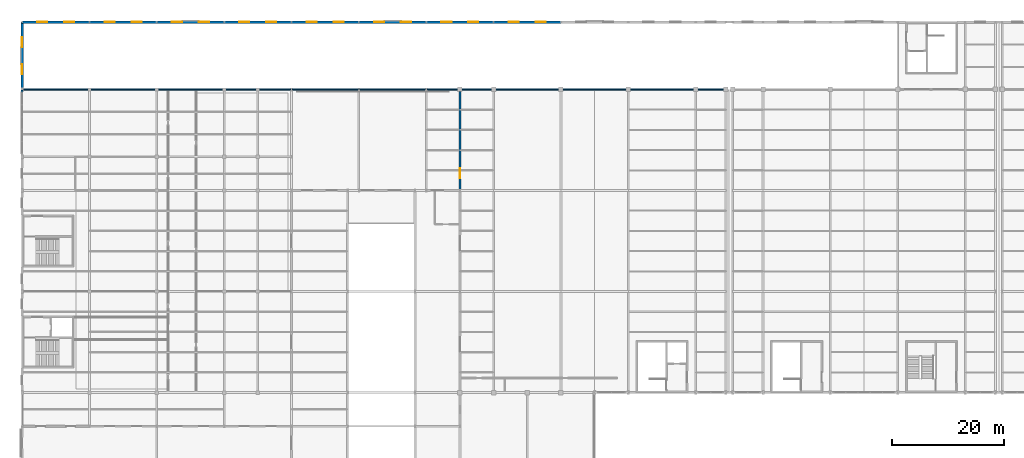
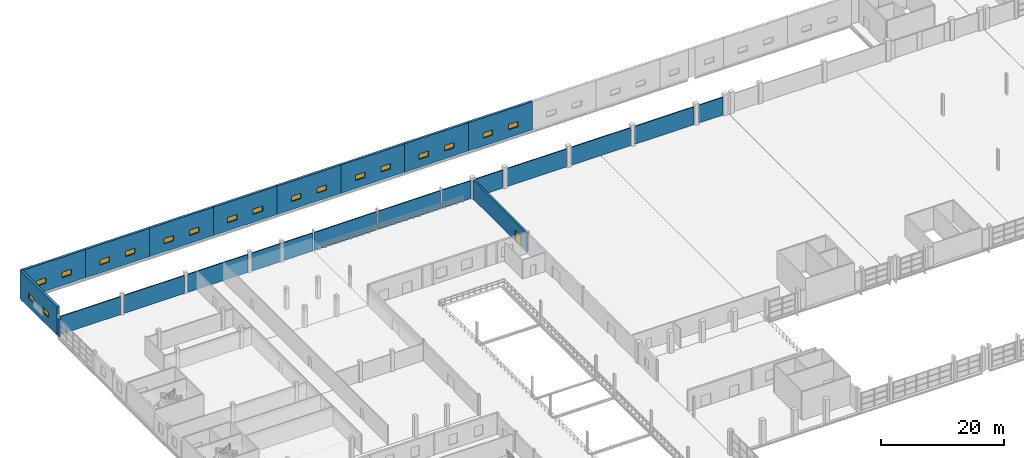
# One storey, part 139 of 147: 23 walls, 18 windows, 1 door, 19 openings.
"""IFC4 building model written with IfcOpenShell, lengths in metres."""

from ifc_helpers import new_model, si_unit, direction, frame, frame_2d, origin, place, context, subcontext, project, spatial, rectangle, extrude, material, layer, layer_set, type_object, element, fill, save


model = new_model("IFC4")

# Units and contexts
model_context = context("Model", 3, precision=1e-05, world=origin(), true_north=direction((0.0, 1.0)))
body_context = subcontext(model_context, "Body", "Model", "MODEL_VIEW")
ifc_project = project(units=[si_unit("LENGTHUNIT", "METRE"), si_unit("AREAUNIT", "SQUARE_METRE"), si_unit("VOLUMEUNIT", "CUBIC_METRE"), si_unit("PLANEANGLEUNIT", "RADIAN"), si_unit("MASSUNIT", "GRAM", prefix="KILO")], contexts=[model_context])

# Site, building, storey
site_placement = place(None, origin())
site = spatial("IfcSite", under=ifc_project, at=site_placement, CompositionType="ELEMENT")
building_placement = place(site_placement, origin())
building = spatial("IfcBuilding", under=site, at=building_placement, Name="Zilviju Railside Exhibition Hall", CompositionType="ELEMENT")
storey_placement = place(building_placement, frame((0.0, 0.0, 8.39990234375)))
storey = spatial("IfcBuildingStorey", under=building, at=storey_placement, Name="L03", CompositionType="ELEMENT", Elevation=8.39990234375)

# Wall, opening, door
ifc_material_1 = material(Name="Insulated terrace foyer masonry wall", Category="masonry")
ifc_layer_1 = layer(ifc_material_1, 0.340087890625)
ifc_layer_set_1 = layer_set([ifc_layer_1], Name="Insulated terrace foyer masonry wall")
wall_type_1 = type_object("IfcWallType", Name="WL-EXT-340", PredefinedType="SOLIDWALL", material=ifc_layer_set_1)
wall_1_placement = place(storey_placement, frame((78.0, 120.181884765625, 0.0), z_axis=(0.0, 0.0, 1.0), x_axis=(0.0, 1.0, 0.0)))
wall_1 = element("IfcWall", 1, at=wall_1_placement, inside=storey, type_object=wall_type_1, Name="North Hall L03 Terrace Foyer Wall", PredefinedType="SOLIDWALL", context=body_context, shape_type="SweptSolid", body=[
    extrude(rectangle(XDim=17.416015625, YDim=0.340087890625, at=frame_2d((8.7080078125, 0.0))), origin(), (0.0, 0.0, 1.0), 3.800048828125),
])
opening_1_placement = place(wall_1_placement, frame((1.968017578125, 0.0, 0.0)))
opening_1 = element("IfcOpeningElement", 2, at=opening_1_placement, cuts=wall_1, Name="Opening TD-01", PredefinedType="OPENING", context=body_context, shape_type="SweptSolid", body=[
    extrude(rectangle(XDim=1.800048828125, YDim=2.199951171875, at=frame_2d((0.89990234375, 1.10009765625))), frame((0.0, 0.179931640625, 0.0), z_axis=(0.0, -1.0, 0.0), x_axis=(1.0, 0.0, 0.0)), (0.0, 0.0, 1.0), 0.360107421875),
])
ifc_material_2 = material(Name="Triple-glazed roof-garden terrace double door", Category="steel")
door_type = type_object("IfcDoorType", Name="DR-EXT-TERR-180x220", OperationType="NOTDEFINED", PredefinedType="DOOR", material=ifc_material_2)
door_placement = place(opening_1_placement, origin())
door = element("IfcDoor", 3, at=door_placement, inside=storey, type_object=door_type, Name="North Hall Terrace Door", OperationType="DOUBLE_DOOR_SINGLE_SWING", OverallHeight=2.199951171875, OverallWidth=1.800048828125, PredefinedType="DOOR", context=body_context, shape_type="SweptSolid", body=[
    extrude(rectangle(XDim=1.800048828125, YDim=2.199951171875, at=frame_2d((0.89990234375, 1.10009765625))), frame((0.0, 0.02490234375, 0.0), z_axis=(0.0, -1.0, 0.0), x_axis=(1.0, 0.0, 0.0)), (0.0, 0.0, 1.0), 0.050048828125),
])
fill(opening_1, door)

# Wall
ifc_material_3 = material(Name="Insulated cream-brick upper facade wall", Category="masonry")
ifc_layer_2 = layer(ifc_material_3, 0.3798828125)
ifc_layer_set_2 = layer_set([ifc_layer_2], Name="Insulated cream-brick upper facade wall")
wall_type_2 = type_object("IfcWallType", Name="WL-EXT-380", PredefinedType="SOLIDWALL", material=ifc_layer_set_2)
wall_2_placement = place(storey_placement, frame((0.0, 137.449951171875, 0.0), z_axis=(0.0, 0.0, 1.0), x_axis=(0.0, 1.0, 0.0)))
element("IfcWall", 4, at=wall_2_placement, inside=storey, type_object=wall_type_2, Name="Curtain-Wall Jamb Closure Pier L03 0485", PredefinedType="SOLIDWALL", context=body_context, shape_type="SweptSolid", body=[
    extrude(rectangle(XDim=0.447998046875, YDim=0.3798828125, at=frame_2d((0.22412109375, 0.0))), origin(), (0.0, 0.0, 1.0), 3.5),
])

# Wall, openings, windows
ifc_material_4 = material(Name="Concrete C40/50", Category="concrete")
ifc_layer_3 = layer(ifc_material_4, 0.43994140625)
ifc_layer_set_3 = layer_set([ifc_layer_3], Name="Concrete C40/50")
wall_type_3 = type_object("IfcWallType", Name="WL-EXT-AC440", PredefinedType="SHEAR", material=ifc_layer_set_3)
wall_3_placement = place(storey_placement, frame((0.0, 150.0, 0.0), z_axis=(0.0, 0.0, 1.0), x_axis=(1.0, 0.0, 0.0)))
wall_3 = element("IfcWall", 5, at=wall_3_placement, inside=storey, type_object=wall_type_3, Name="Exterior Facade Wall L03 North 0557", PredefinedType="SHEAR", context=body_context, shape_type="SweptSolid", body=[
    extrude(rectangle(XDim=12.0, YDim=0.43994140625, at=frame_2d((6.0, 0.0))), origin(), (0.0, 0.0, 1.0), 5.650146484375),
])
opening_2_placement = place(wall_3_placement, frame((2.699951171875, 0.0, 1.60009765625)))
opening_2 = element("IfcOpeningElement", 6, at=opening_2_placement, cuts=wall_3, Name="Opening WN-16", PredefinedType="OPENING", context=body_context, shape_type="SweptSolid", body=[
    extrude(rectangle(XDim=1.800048828125, YDim=1.050048828125, at=frame_2d((0.89990234375, 0.52490234375))), frame((0.0, 0.22998046875, 0.0), z_axis=(0.0, -1.0, 0.0), x_axis=(1.0, 0.0, 0.0)), (0.0, 0.0, 1.0), 0.4599609375),
])
opening_3_placement = place(wall_3_placement, frame((7.5, 0.0, 1.60009765625)))
opening_3 = element("IfcOpeningElement", 7, at=opening_3_placement, cuts=wall_3, Name="Opening WN-16", PredefinedType="OPENING", context=body_context, shape_type="SweptSolid", body=[
    extrude(rectangle(XDim=1.800048828125, YDim=1.050048828125, at=frame_2d((0.89990234375, 0.52490234375))), frame((0.0, 0.22998046875, 0.0), z_axis=(0.0, -1.0, 0.0), x_axis=(1.0, 0.0, 0.0)), (0.0, 0.0, 1.0), 0.4599609375),
])
ifc_material_5 = material(Name="Triple-glazed timber-aluminium window unit", Category="wood")
window_type = type_object("IfcWindowType", Name="WIN-LOG-180x105", PartitioningType="DOUBLE_PANEL_VERTICAL", PredefinedType="WINDOW", material=ifc_material_5)
window_1_placement = place(opening_2_placement, origin())
window_1 = element("IfcWindow", 8, at=window_1_placement, inside=storey, type_object=window_type, Name="Facade Window L03 WN-0138", OverallHeight=1.050048828125, OverallWidth=1.800048828125, PartitioningType="SINGLE_PANEL", PredefinedType="WINDOW", context=body_context, shape_type="SweptSolid", body=[
    extrude(rectangle(XDim=1.800048828125, YDim=1.050048828125, at=frame_2d((0.89990234375, 0.52490234375))), frame((0.0, 0.030029296875, 0.0), z_axis=(0.0, -1.0, 0.0), x_axis=(1.0, 0.0, 0.0)), (0.0, 0.0, 1.0), 0.06005859375),
])
fill(opening_2, window_1)
window_2_placement = place(opening_3_placement, origin())
window_2 = element("IfcWindow", 9, at=window_2_placement, inside=storey, type_object=window_type, Name="Facade Window L03 WN-0139", OverallHeight=1.050048828125, OverallWidth=1.800048828125, PartitioningType="SINGLE_PANEL", PredefinedType="WINDOW", context=body_context, shape_type="SweptSolid", body=[
    extrude(rectangle(XDim=1.800048828125, YDim=1.050048828125, at=frame_2d((0.89990234375, 0.52490234375))), frame((0.0, 0.030029296875, 0.0), z_axis=(0.0, -1.0, 0.0), x_axis=(1.0, 0.0, 0.0)), (0.0, 0.0, 1.0), 0.06005859375),
])
fill(opening_3, window_2)

wall_4_placement = place(storey_placement, frame((12.0, 150.0, 0.0), z_axis=(0.0, 0.0, 1.0), x_axis=(1.0, 0.0, 0.0)))
wall_4 = element("IfcWall", 10, at=wall_4_placement, inside=storey, type_object=wall_type_3, Name="Exterior Facade Wall L03 North 0558", PredefinedType="SHEAR", context=body_context, shape_type="SweptSolid", body=[
    extrude(rectangle(XDim=12.0, YDim=0.43994140625, at=frame_2d((6.0, 0.0))), origin(), (0.0, 0.0, 1.0), 5.650146484375),
])
opening_4_placement = place(wall_4_placement, frame((2.699951171875, 0.0, 1.60009765625)))
opening_4 = element("IfcOpeningElement", 11, at=opening_4_placement, cuts=wall_4, Name="Opening WN-16", PredefinedType="OPENING", context=body_context, shape_type="SweptSolid", body=[
    extrude(rectangle(XDim=1.800048828125, YDim=1.050048828125, at=frame_2d((0.89990234375, 0.52490234375))), frame((0.0, 0.22998046875, 0.0), z_axis=(0.0, -1.0, 0.0), x_axis=(1.0, 0.0, 0.0)), (0.0, 0.0, 1.0), 0.4599609375),
])
opening_5_placement = place(wall_4_placement, frame((7.5, 0.0, 1.60009765625)))
opening_5 = element("IfcOpeningElement", 12, at=opening_5_placement, cuts=wall_4, Name="Opening WN-16", PredefinedType="OPENING", context=body_context, shape_type="SweptSolid", body=[
    extrude(rectangle(XDim=1.800048828125, YDim=1.050048828125, at=frame_2d((0.89990234375, 0.52490234375))), frame((0.0, 0.22998046875, 0.0), z_axis=(0.0, -1.0, 0.0), x_axis=(1.0, 0.0, 0.0)), (0.0, 0.0, 1.0), 0.4599609375),
])
window_3_placement = place(opening_4_placement, origin())
window_3 = element("IfcWindow", 13, at=window_3_placement, inside=storey, type_object=window_type, Name="Facade Window L03 WN-0140", OverallHeight=1.050048828125, OverallWidth=1.800048828125, PartitioningType="SINGLE_PANEL", PredefinedType="WINDOW", context=body_context, shape_type="SweptSolid", body=[
    extrude(rectangle(XDim=1.800048828125, YDim=1.050048828125, at=frame_2d((0.89990234375, 0.52490234375))), frame((0.0, 0.030029296875, 0.0), z_axis=(0.0, -1.0, 0.0), x_axis=(1.0, 0.0, 0.0)), (0.0, 0.0, 1.0), 0.06005859375),
])
fill(opening_4, window_3)
window_4_placement = place(opening_5_placement, origin())
window_4 = element("IfcWindow", 14, at=window_4_placement, inside=storey, type_object=window_type, Name="Facade Window L03 WN-0141", OverallHeight=1.050048828125, OverallWidth=1.800048828125, PartitioningType="SINGLE_PANEL", PredefinedType="WINDOW", context=body_context, shape_type="SweptSolid", body=[
    extrude(rectangle(XDim=1.800048828125, YDim=1.050048828125, at=frame_2d((0.89990234375, 0.52490234375))), frame((0.0, 0.030029296875, 0.0), z_axis=(0.0, -1.0, 0.0), x_axis=(1.0, 0.0, 0.0)), (0.0, 0.0, 1.0), 0.06005859375),
])
fill(opening_5, window_4)

wall_5_placement = place(storey_placement, frame((24.0, 150.0, 0.0), z_axis=(0.0, 0.0, 1.0), x_axis=(1.0, 0.0, 0.0)))
wall_5 = element("IfcWall", 15, at=wall_5_placement, inside=storey, type_object=wall_type_3, Name="Exterior Facade Wall L03 North 0559", PredefinedType="SHEAR", context=body_context, shape_type="SweptSolid", body=[
    extrude(rectangle(XDim=12.0, YDim=0.43994140625, at=frame_2d((6.0, 0.0))), origin(), (0.0, 0.0, 1.0), 5.650146484375),
])
opening_6_placement = place(wall_5_placement, frame((2.699951171875, 0.0, 1.60009765625)))
opening_6 = element("IfcOpeningElement", 16, at=opening_6_placement, cuts=wall_5, Name="Opening WN-16", PredefinedType="OPENING", context=body_context, shape_type="SweptSolid", body=[
    extrude(rectangle(XDim=1.800048828125, YDim=1.050048828125, at=frame_2d((0.89990234375, 0.52490234375))), frame((0.0, 0.22998046875, 0.0), z_axis=(0.0, -1.0, 0.0), x_axis=(1.0, 0.0, 0.0)), (0.0, 0.0, 1.0), 0.4599609375),
])
opening_7_placement = place(wall_5_placement, frame((7.5, 0.0, 1.60009765625)))
opening_7 = element("IfcOpeningElement", 17, at=opening_7_placement, cuts=wall_5, Name="Opening WN-16", PredefinedType="OPENING", context=body_context, shape_type="SweptSolid", body=[
    extrude(rectangle(XDim=1.800048828125, YDim=1.050048828125, at=frame_2d((0.89990234375, 0.52490234375))), frame((0.0, 0.22998046875, 0.0), z_axis=(0.0, -1.0, 0.0), x_axis=(1.0, 0.0, 0.0)), (0.0, 0.0, 1.0), 0.4599609375),
])
window_5_placement = place(opening_6_placement, origin())
window_5 = element("IfcWindow", 18, at=window_5_placement, inside=storey, type_object=window_type, Name="Facade Window L03 WN-0142", OverallHeight=1.050048828125, OverallWidth=1.800048828125, PartitioningType="SINGLE_PANEL", PredefinedType="WINDOW", context=body_context, shape_type="SweptSolid", body=[
    extrude(rectangle(XDim=1.800048828125, YDim=1.050048828125, at=frame_2d((0.89990234375, 0.52490234375))), frame((0.0, 0.030029296875, 0.0), z_axis=(0.0, -1.0, 0.0), x_axis=(1.0, 0.0, 0.0)), (0.0, 0.0, 1.0), 0.06005859375),
])
fill(opening_6, window_5)
window_6_placement = place(opening_7_placement, origin())
window_6 = element("IfcWindow", 19, at=window_6_placement, inside=storey, type_object=window_type, Name="Facade Window L03 WN-0143", OverallHeight=1.050048828125, OverallWidth=1.800048828125, PartitioningType="SINGLE_PANEL", PredefinedType="WINDOW", context=body_context, shape_type="SweptSolid", body=[
    extrude(rectangle(XDim=1.800048828125, YDim=1.050048828125, at=frame_2d((0.89990234375, 0.52490234375))), frame((0.0, 0.030029296875, 0.0), z_axis=(0.0, -1.0, 0.0), x_axis=(1.0, 0.0, 0.0)), (0.0, 0.0, 1.0), 0.06005859375),
])
fill(opening_7, window_6)

wall_6_placement = place(storey_placement, frame((36.0, 150.0, 0.0), z_axis=(0.0, 0.0, 1.0), x_axis=(1.0, 0.0, 0.0)))
wall_6 = element("IfcWall", 20, at=wall_6_placement, inside=storey, type_object=wall_type_3, Name="Exterior Facade Wall L03 North 0560", PredefinedType="SHEAR", context=body_context, shape_type="SweptSolid", body=[
    extrude(rectangle(XDim=12.0, YDim=0.43994140625, at=frame_2d((6.0, 0.0))), origin(), (0.0, 0.0, 1.0), 5.650146484375),
])
opening_8_placement = place(wall_6_placement, frame((2.699951171875, 0.0, 1.60009765625)))
opening_8 = element("IfcOpeningElement", 21, at=opening_8_placement, cuts=wall_6, Name="Opening WN-16", PredefinedType="OPENING", context=body_context, shape_type="SweptSolid", body=[
    extrude(rectangle(XDim=1.800048828125, YDim=1.050048828125, at=frame_2d((0.89990234375, 0.52490234375))), frame((0.0, 0.22998046875, 0.0), z_axis=(0.0, -1.0, 0.0), x_axis=(1.0, 0.0, 0.0)), (0.0, 0.0, 1.0), 0.4599609375),
])
opening_9_placement = place(wall_6_placement, frame((7.5, 0.0, 1.60009765625)))
opening_9 = element("IfcOpeningElement", 22, at=opening_9_placement, cuts=wall_6, Name="Opening WN-16", PredefinedType="OPENING", context=body_context, shape_type="SweptSolid", body=[
    extrude(rectangle(XDim=1.800048828125, YDim=1.050048828125, at=frame_2d((0.89990234375, 0.52490234375))), frame((0.0, 0.22998046875, 0.0), z_axis=(0.0, -1.0, 0.0), x_axis=(1.0, 0.0, 0.0)), (0.0, 0.0, 1.0), 0.4599609375),
])
window_7_placement = place(opening_8_placement, origin())
window_7 = element("IfcWindow", 23, at=window_7_placement, inside=storey, type_object=window_type, Name="Facade Window L03 WN-0144", OverallHeight=1.050048828125, OverallWidth=1.800048828125, PartitioningType="SINGLE_PANEL", PredefinedType="WINDOW", context=body_context, shape_type="SweptSolid", body=[
    extrude(rectangle(XDim=1.800048828125, YDim=1.050048828125, at=frame_2d((0.89990234375, 0.52490234375))), frame((0.0, 0.030029296875, 0.0), z_axis=(0.0, -1.0, 0.0), x_axis=(1.0, 0.0, 0.0)), (0.0, 0.0, 1.0), 0.06005859375),
])
fill(opening_8, window_7)
window_8_placement = place(opening_9_placement, origin())
window_8 = element("IfcWindow", 24, at=window_8_placement, inside=storey, type_object=window_type, Name="Facade Window L03 WN-0145", OverallHeight=1.050048828125, OverallWidth=1.800048828125, PartitioningType="SINGLE_PANEL", PredefinedType="WINDOW", context=body_context, shape_type="SweptSolid", body=[
    extrude(rectangle(XDim=1.800048828125, YDim=1.050048828125, at=frame_2d((0.89990234375, 0.52490234375))), frame((0.0, 0.030029296875, 0.0), z_axis=(0.0, -1.0, 0.0), x_axis=(1.0, 0.0, 0.0)), (0.0, 0.0, 1.0), 0.06005859375),
])
fill(opening_9, window_8)

wall_7_placement = place(storey_placement, frame((48.0, 150.0, 0.0), z_axis=(0.0, 0.0, 1.0), x_axis=(1.0, 0.0, 0.0)))
wall_7 = element("IfcWall", 25, at=wall_7_placement, inside=storey, type_object=wall_type_3, Name="Exterior Facade Wall L03 North 0561", PredefinedType="SHEAR", context=body_context, shape_type="SweptSolid", body=[
    extrude(rectangle(XDim=12.0, YDim=0.43994140625, at=frame_2d((6.0, 0.0))), origin(), (0.0, 0.0, 1.0), 5.650146484375),
])
opening_10_placement = place(wall_7_placement, frame((2.699951171875, 0.0, 1.60009765625)))
opening_10 = element("IfcOpeningElement", 26, at=opening_10_placement, cuts=wall_7, Name="Opening WN-16", PredefinedType="OPENING", context=body_context, shape_type="SweptSolid", body=[
    extrude(rectangle(XDim=1.800048828125, YDim=1.050048828125, at=frame_2d((0.89990234375, 0.52490234375))), frame((0.0, 0.22998046875, 0.0), z_axis=(0.0, -1.0, 0.0), x_axis=(1.0, 0.0, 0.0)), (0.0, 0.0, 1.0), 0.4599609375),
])
opening_11_placement = place(wall_7_placement, frame((7.5, 0.0, 1.60009765625)))
opening_11 = element("IfcOpeningElement", 27, at=opening_11_placement, cuts=wall_7, Name="Opening WN-16", PredefinedType="OPENING", context=body_context, shape_type="SweptSolid", body=[
    extrude(rectangle(XDim=1.800048828125, YDim=1.050048828125, at=frame_2d((0.89990234375, 0.52490234375))), frame((0.0, 0.22998046875, 0.0), z_axis=(0.0, -1.0, 0.0), x_axis=(1.0, 0.0, 0.0)), (0.0, 0.0, 1.0), 0.4599609375),
])
window_9_placement = place(opening_10_placement, origin())
window_9 = element("IfcWindow", 28, at=window_9_placement, inside=storey, type_object=window_type, Name="Facade Window L03 WN-0146", OverallHeight=1.050048828125, OverallWidth=1.800048828125, PartitioningType="SINGLE_PANEL", PredefinedType="WINDOW", context=body_context, shape_type="SweptSolid", body=[
    extrude(rectangle(XDim=1.800048828125, YDim=1.050048828125, at=frame_2d((0.89990234375, 0.52490234375))), frame((0.0, 0.030029296875, 0.0), z_axis=(0.0, -1.0, 0.0), x_axis=(1.0, 0.0, 0.0)), (0.0, 0.0, 1.0), 0.06005859375),
])
fill(opening_10, window_9)
window_10_placement = place(opening_11_placement, origin())
window_10 = element("IfcWindow", 29, at=window_10_placement, inside=storey, type_object=window_type, Name="Facade Window L03 WN-0147", OverallHeight=1.050048828125, OverallWidth=1.800048828125, PartitioningType="SINGLE_PANEL", PredefinedType="WINDOW", context=body_context, shape_type="SweptSolid", body=[
    extrude(rectangle(XDim=1.800048828125, YDim=1.050048828125, at=frame_2d((0.89990234375, 0.52490234375))), frame((0.0, 0.030029296875, 0.0), z_axis=(0.0, -1.0, 0.0), x_axis=(1.0, 0.0, 0.0)), (0.0, 0.0, 1.0), 0.06005859375),
])
fill(opening_11, window_10)

wall_8_placement = place(storey_placement, frame((60.0, 150.0, 0.0), z_axis=(0.0, 0.0, 1.0), x_axis=(1.0, 0.0, 0.0)))
wall_8 = element("IfcWall", 30, at=wall_8_placement, inside=storey, type_object=wall_type_3, Name="Exterior Facade Wall L03 North 0562", PredefinedType="SHEAR", context=body_context, shape_type="SweptSolid", body=[
    extrude(rectangle(XDim=12.0, YDim=0.43994140625, at=frame_2d((6.0, 0.0))), origin(), (0.0, 0.0, 1.0), 5.650146484375),
])
opening_12_placement = place(wall_8_placement, frame((2.699951171875, 0.0, 1.60009765625)))
opening_12 = element("IfcOpeningElement", 31, at=opening_12_placement, cuts=wall_8, Name="Opening WN-16", PredefinedType="OPENING", context=body_context, shape_type="SweptSolid", body=[
    extrude(rectangle(XDim=1.800048828125, YDim=1.050048828125, at=frame_2d((0.89990234375, 0.52490234375))), frame((0.0, 0.22998046875, 0.0), z_axis=(0.0, -1.0, 0.0), x_axis=(1.0, 0.0, 0.0)), (0.0, 0.0, 1.0), 0.4599609375),
])
opening_13_placement = place(wall_8_placement, frame((7.5, 0.0, 1.60009765625)))
opening_13 = element("IfcOpeningElement", 32, at=opening_13_placement, cuts=wall_8, Name="Opening WN-16", PredefinedType="OPENING", context=body_context, shape_type="SweptSolid", body=[
    extrude(rectangle(XDim=1.800048828125, YDim=1.050048828125, at=frame_2d((0.89990234375, 0.52490234375))), frame((0.0, 0.22998046875, 0.0), z_axis=(0.0, -1.0, 0.0), x_axis=(1.0, 0.0, 0.0)), (0.0, 0.0, 1.0), 0.4599609375),
])
window_11_placement = place(opening_12_placement, origin())
window_11 = element("IfcWindow", 33, at=window_11_placement, inside=storey, type_object=window_type, Name="Facade Window L03 WN-0148", OverallHeight=1.050048828125, OverallWidth=1.800048828125, PartitioningType="SINGLE_PANEL", PredefinedType="WINDOW", context=body_context, shape_type="SweptSolid", body=[
    extrude(rectangle(XDim=1.800048828125, YDim=1.050048828125, at=frame_2d((0.89990234375, 0.52490234375))), frame((0.0, 0.030029296875, 0.0), z_axis=(0.0, -1.0, 0.0), x_axis=(1.0, 0.0, 0.0)), (0.0, 0.0, 1.0), 0.06005859375),
])
fill(opening_12, window_11)
window_12_placement = place(opening_13_placement, origin())
window_12 = element("IfcWindow", 34, at=window_12_placement, inside=storey, type_object=window_type, Name="Facade Window L03 WN-0149", OverallHeight=1.050048828125, OverallWidth=1.800048828125, PartitioningType="SINGLE_PANEL", PredefinedType="WINDOW", context=body_context, shape_type="SweptSolid", body=[
    extrude(rectangle(XDim=1.800048828125, YDim=1.050048828125, at=frame_2d((0.89990234375, 0.52490234375))), frame((0.0, 0.030029296875, 0.0), z_axis=(0.0, -1.0, 0.0), x_axis=(1.0, 0.0, 0.0)), (0.0, 0.0, 1.0), 0.06005859375),
])
fill(opening_13, window_12)

wall_9_placement = place(storey_placement, frame((72.0, 150.0, 0.0), z_axis=(0.0, 0.0, 1.0), x_axis=(1.0, 0.0, 0.0)))
wall_9 = element("IfcWall", 35, at=wall_9_placement, inside=storey, type_object=wall_type_3, Name="Exterior Facade Wall L03 North 0563", PredefinedType="SHEAR", context=body_context, shape_type="SweptSolid", body=[
    extrude(rectangle(XDim=12.0, YDim=0.43994140625, at=frame_2d((6.0, 0.0))), origin(), (0.0, 0.0, 1.0), 5.650146484375),
])
opening_14_placement = place(wall_9_placement, frame((2.699951171875, 0.0, 1.60009765625)))
opening_14 = element("IfcOpeningElement", 36, at=opening_14_placement, cuts=wall_9, Name="Opening WN-16", PredefinedType="OPENING", context=body_context, shape_type="SweptSolid", body=[
    extrude(rectangle(XDim=1.800048828125, YDim=1.050048828125, at=frame_2d((0.89990234375, 0.52490234375))), frame((0.0, 0.22998046875, 0.0), z_axis=(0.0, -1.0, 0.0), x_axis=(1.0, 0.0, 0.0)), (0.0, 0.0, 1.0), 0.4599609375),
])
opening_15_placement = place(wall_9_placement, frame((7.5, 0.0, 1.60009765625)))
opening_15 = element("IfcOpeningElement", 37, at=opening_15_placement, cuts=wall_9, Name="Opening WN-16", PredefinedType="OPENING", context=body_context, shape_type="SweptSolid", body=[
    extrude(rectangle(XDim=1.800048828125, YDim=1.050048828125, at=frame_2d((0.89990234375, 0.52490234375))), frame((0.0, 0.22998046875, 0.0), z_axis=(0.0, -1.0, 0.0), x_axis=(1.0, 0.0, 0.0)), (0.0, 0.0, 1.0), 0.4599609375),
])
window_13_placement = place(opening_14_placement, origin())
window_13 = element("IfcWindow", 38, at=window_13_placement, inside=storey, type_object=window_type, Name="Facade Window L03 WN-0150", OverallHeight=1.050048828125, OverallWidth=1.800048828125, PartitioningType="SINGLE_PANEL", PredefinedType="WINDOW", context=body_context, shape_type="SweptSolid", body=[
    extrude(rectangle(XDim=1.800048828125, YDim=1.050048828125, at=frame_2d((0.89990234375, 0.52490234375))), frame((0.0, 0.030029296875, 0.0), z_axis=(0.0, -1.0, 0.0), x_axis=(1.0, 0.0, 0.0)), (0.0, 0.0, 1.0), 0.06005859375),
])
fill(opening_14, window_13)
window_14_placement = place(opening_15_placement, origin())
window_14 = element("IfcWindow", 39, at=window_14_placement, inside=storey, type_object=window_type, Name="Facade Window L03 WN-0151", OverallHeight=1.050048828125, OverallWidth=1.800048828125, PartitioningType="SINGLE_PANEL", PredefinedType="WINDOW", context=body_context, shape_type="SweptSolid", body=[
    extrude(rectangle(XDim=1.800048828125, YDim=1.050048828125, at=frame_2d((0.89990234375, 0.52490234375))), frame((0.0, 0.030029296875, 0.0), z_axis=(0.0, -1.0, 0.0), x_axis=(1.0, 0.0, 0.0)), (0.0, 0.0, 1.0), 0.06005859375),
])
fill(opening_15, window_14)

wall_10_placement = place(storey_placement, frame((84.0, 150.0, 0.0), z_axis=(0.0, 0.0, 1.0), x_axis=(1.0, 0.0, 0.0)))
wall_10 = element("IfcWall", 40, at=wall_10_placement, inside=storey, type_object=wall_type_3, Name="Exterior Facade Wall L03 North 0564", PredefinedType="SHEAR", context=body_context, shape_type="SweptSolid", body=[
    extrude(rectangle(XDim=12.0, YDim=0.43994140625, at=frame_2d((6.0, 0.0))), origin(), (0.0, 0.0, 1.0), 5.650146484375),
])
opening_16_placement = place(wall_10_placement, frame((2.699951171875, 0.0, 1.60009765625)))
opening_16 = element("IfcOpeningElement", 41, at=opening_16_placement, cuts=wall_10, Name="Opening WN-16", PredefinedType="OPENING", context=body_context, shape_type="SweptSolid", body=[
    extrude(rectangle(XDim=1.800048828125, YDim=1.050048828125, at=frame_2d((0.89990234375, 0.52490234375))), frame((0.0, 0.22998046875, 0.0), z_axis=(0.0, -1.0, 0.0), x_axis=(1.0, 0.0, 0.0)), (0.0, 0.0, 1.0), 0.4599609375),
])
opening_17_placement = place(wall_10_placement, frame((7.5, 0.0, 1.60009765625)))
opening_17 = element("IfcOpeningElement", 42, at=opening_17_placement, cuts=wall_10, Name="Opening WN-16", PredefinedType="OPENING", context=body_context, shape_type="SweptSolid", body=[
    extrude(rectangle(XDim=1.800048828125, YDim=1.050048828125, at=frame_2d((0.89990234375, 0.52490234375))), frame((0.0, 0.22998046875, 0.0), z_axis=(0.0, -1.0, 0.0), x_axis=(1.0, 0.0, 0.0)), (0.0, 0.0, 1.0), 0.4599609375),
])
window_15_placement = place(opening_16_placement, origin())
window_15 = element("IfcWindow", 43, at=window_15_placement, inside=storey, type_object=window_type, Name="Facade Window L03 WN-0152", OverallHeight=1.050048828125, OverallWidth=1.800048828125, PartitioningType="SINGLE_PANEL", PredefinedType="WINDOW", context=body_context, shape_type="SweptSolid", body=[
    extrude(rectangle(XDim=1.800048828125, YDim=1.050048828125, at=frame_2d((0.89990234375, 0.52490234375))), frame((0.0, 0.030029296875, 0.0), z_axis=(0.0, -1.0, 0.0), x_axis=(1.0, 0.0, 0.0)), (0.0, 0.0, 1.0), 0.06005859375),
])
fill(opening_16, window_15)
window_16_placement = place(opening_17_placement, origin())
window_16 = element("IfcWindow", 44, at=window_16_placement, inside=storey, type_object=window_type, Name="Facade Window L03 WN-0153", OverallHeight=1.050048828125, OverallWidth=1.800048828125, PartitioningType="SINGLE_PANEL", PredefinedType="WINDOW", context=body_context, shape_type="SweptSolid", body=[
    extrude(rectangle(XDim=1.800048828125, YDim=1.050048828125, at=frame_2d((0.89990234375, 0.52490234375))), frame((0.0, 0.030029296875, 0.0), z_axis=(0.0, -1.0, 0.0), x_axis=(1.0, 0.0, 0.0)), (0.0, 0.0, 1.0), 0.06005859375),
])
fill(opening_17, window_16)

wall_11_placement = place(storey_placement, frame((0.0, 138.0, 0.0), z_axis=(0.0, 0.0, 1.0), x_axis=(0.0, 1.0, 0.0)))
wall_11 = element("IfcWall", 45, at=wall_11_placement, inside=storey, type_object=wall_type_3, Name="Exterior Facade Wall L03 West 0577", PredefinedType="SHEAR", context=body_context, shape_type="SweptSolid", body=[
    extrude(rectangle(XDim=12.0, YDim=0.43994140625, at=frame_2d((6.0, 0.0))), origin(), (0.0, 0.0, 1.0), 5.650146484375),
])
opening_18_placement = place(wall_11_placement, frame((2.699951171875, 0.0, 1.800048828125)))
opening_18 = element("IfcOpeningElement", 46, at=opening_18_placement, cuts=wall_11, Name="Opening WN-16", PredefinedType="OPENING", context=body_context, shape_type="SweptSolid", body=[
    extrude(rectangle(XDim=1.800048828125, YDim=1.050048828125, at=frame_2d((0.89990234375, 0.52490234375))), frame((0.0, 0.22998046875, 0.0), z_axis=(0.0, -1.0, 0.0), x_axis=(1.0, 0.0, 0.0)), (0.0, 0.0, 1.0), 0.4599609375),
])
opening_19_placement = place(wall_11_placement, frame((7.5, 0.0, 1.800048828125)))
opening_19 = element("IfcOpeningElement", 47, at=opening_19_placement, cuts=wall_11, Name="Opening WN-16", PredefinedType="OPENING", context=body_context, shape_type="SweptSolid", body=[
    extrude(rectangle(XDim=1.800048828125, YDim=1.050048828125, at=frame_2d((0.89990234375, 0.52490234375))), frame((0.0, 0.22998046875, 0.0), z_axis=(0.0, -1.0, 0.0), x_axis=(1.0, 0.0, 0.0)), (0.0, 0.0, 1.0), 0.4599609375),
])
window_17_placement = place(opening_18_placement, origin())
window_17 = element("IfcWindow", 48, at=window_17_placement, inside=storey, type_object=window_type, Name="Facade Window L03 WN-0168", OverallHeight=1.050048828125, OverallWidth=1.800048828125, PartitioningType="SINGLE_PANEL", PredefinedType="WINDOW", context=body_context, shape_type="SweptSolid", body=[
    extrude(rectangle(XDim=1.800048828125, YDim=1.050048828125, at=frame_2d((0.89990234375, 0.52490234375))), frame((0.0, 0.030029296875, 0.0), z_axis=(0.0, -1.0, 0.0), x_axis=(1.0, 0.0, 0.0)), (0.0, 0.0, 1.0), 0.06005859375),
])
fill(opening_18, window_17)
window_18_placement = place(opening_19_placement, origin())
window_18 = element("IfcWindow", 49, at=window_18_placement, inside=storey, type_object=window_type, Name="Facade Window L03 WN-0169", OverallHeight=1.050048828125, OverallWidth=1.800048828125, PartitioningType="SINGLE_PANEL", PredefinedType="WINDOW", context=body_context, shape_type="SweptSolid", body=[
    extrude(rectangle(XDim=1.800048828125, YDim=1.050048828125, at=frame_2d((0.89990234375, 0.52490234375))), frame((0.0, 0.030029296875, 0.0), z_axis=(0.0, -1.0, 0.0), x_axis=(1.0, 0.0, 0.0)), (0.0, 0.0, 1.0), 0.06005859375),
])
fill(opening_19, window_18)

# Walls
ifc_material_6 = material(Name="Double-stud acoustic gypsum partition wall", Category="masonry")
ifc_layer_4 = layer(ifc_material_6, 0.199951171875)
ifc_layer_set_4 = layer_set([ifc_layer_4], Name="Double-stud acoustic gypsum partition wall")
wall_type_4 = type_object("IfcWallType", Name="WL-PART-200", PredefinedType="PARTITIONING", material=ifc_layer_set_4)
wall_12_placement = place(storey_placement, frame((0.177001953125, 138.0, 0.0), z_axis=(0.0, 0.0, 1.0), x_axis=(1.0, 0.0, 0.0)))
element("IfcWall", 50, at=wall_12_placement, inside=storey, type_object=wall_type_4, Name="REI 180 Railside Buffer Compartment Wall L03", PredefinedType="PARTITIONING", context=body_context, shape_type="SweptSolid", body=[
    extrude(rectangle(XDim=11.52099609375, YDim=0.199951171875, at=frame_2d((5.760498046875, 0.0))), origin(), (0.0, 0.0, 1.0), 3.570068359375),
])
for number, where, z_axis, x_axis, name in (
    (51, (12.302001953125, 138.0, 0.0), (0.0, 0.0, 1.0), (1.0, 0.0, 0.0), "REI 180 Railside Buffer Compartment Wall L03"),
    (52, (24.302001953125, 138.0, 0.0), (0.0, 0.0, 1.0), (1.0, 0.0, 0.0), "REI 180 Railside Buffer Compartment Wall L03"),
):
    element("IfcWall", number, at=place(storey_placement, frame(where, z_axis=z_axis, x_axis=x_axis)), inside=storey, type_object=wall_type_4, Name=name, PredefinedType="PARTITIONING", context=body_context, shape_type="SweptSolid", body=[
        extrude(rectangle(XDim=11.39599609375, YDim=0.199951171875, at=frame_2d((5.697998046875, 0.0))), origin(), (0.0, 0.0, 1.0), 3.570068359375),
    ])
wall_13_placement = place(storey_placement, frame((36.302001953125, 138.0, 0.0), z_axis=(0.0, 0.0, 1.0), x_axis=(1.0, 0.0, 0.0)))
element("IfcWall", 53, at=wall_13_placement, inside=storey, type_object=wall_type_4, Name="REI 180 Railside Buffer Compartment Wall L03", PredefinedType="PARTITIONING", context=body_context, shape_type="SweptSolid", body=[
    extrude(rectangle(XDim=11.5458984375, YDim=0.199951171875, at=frame_2d((5.77294921875, 0.0))), origin(), (0.0, 0.0, 1.0), 3.570068359375),
])
for number, where, z_axis, x_axis, name in (
    (54, (48.152099609375, 138.0, 0.0), (0.0, 0.0, 1.0), (1.0, 0.0, 0.0), "REI 180 Railside Buffer Compartment Wall L03"),
    (55, (60.152099609375, 138.0, 0.0), (0.0, 0.0, 1.0), (1.0, 0.0, 0.0), "REI 180 Railside Buffer Compartment Wall L03"),
):
    element("IfcWall", number, at=place(storey_placement, frame(where, z_axis=z_axis, x_axis=x_axis)), inside=storey, type_object=wall_type_4, Name=name, PredefinedType="PARTITIONING", context=body_context, shape_type="SweptSolid", body=[
        extrude(rectangle(XDim=11.69580078125, YDim=0.199951171875, at=frame_2d((5.847900390625, 0.0))), origin(), (0.0, 0.0, 1.0), 3.570068359375),
    ])
wall_14_placement = place(storey_placement, frame((72.152099609375, 138.0, 0.0), z_axis=(0.0, 0.0, 1.0), x_axis=(1.0, 0.0, 0.0)))
element("IfcWall", 56, at=wall_14_placement, inside=storey, type_object=wall_type_4, Name="REI 180 Railside Buffer Compartment Wall L03", PredefinedType="PARTITIONING", context=body_context, shape_type="SweptSolid", body=[
    extrude(rectangle(XDim=5.44580078125, YDim=0.199951171875, at=frame_2d((2.722900390625, 0.0))), origin(), (0.0, 0.0, 1.0), 3.570068359375),
])
wall_15_placement = place(storey_placement, frame((78.402099609375, 138.0, 0.0), z_axis=(0.0, 0.0, 1.0), x_axis=(1.0, 0.0, 0.0)))
element("IfcWall", 57, at=wall_15_placement, inside=storey, type_object=wall_type_4, Name="REI 180 Railside Buffer Compartment Wall L03", PredefinedType="PARTITIONING", context=body_context, shape_type="SweptSolid", body=[
    extrude(rectangle(XDim=5.19580078125, YDim=0.199951171875, at=frame_2d((2.597900390625, 0.0))), origin(), (0.0, 0.0, 1.0), 3.570068359375),
])
for number, where, z_axis, x_axis, name in (
    (58, (84.402099609375, 138.0, 0.0), (0.0, 0.0, 1.0), (1.0, 0.0, 0.0), "REI 180 Railside Buffer Compartment Wall L03"),
    (59, (96.402099609375, 138.0, 0.0), (0.0, 0.0, 1.0), (1.0, 0.0, 0.0), "REI 180 Railside Buffer Compartment Wall L03"),
    (60, (108.402099609375, 138.0, 0.0), (0.0, 0.0, 1.0), (1.0, 0.0, 0.0), "REI 180 Railside Buffer Compartment Wall L03"),
):
    element("IfcWall", number, at=place(storey_placement, frame(where, z_axis=z_axis, x_axis=x_axis)), inside=storey, type_object=wall_type_4, Name=name, PredefinedType="PARTITIONING", context=body_context, shape_type="SweptSolid", body=[
        extrude(rectangle(XDim=11.19580078125, YDim=0.199951171875, at=frame_2d((5.597900390625, 0.0))), origin(), (0.0, 0.0, 1.0), 3.570068359375),
    ])
wall_16_placement = place(storey_placement, frame((120.402099609375, 138.0, 0.0), z_axis=(0.0, 0.0, 1.0), x_axis=(1.0, 0.0, 0.0)))
element("IfcWall", 61, at=wall_16_placement, inside=storey, type_object=wall_type_4, Name="REI 180 Railside Buffer Compartment Wall L03", PredefinedType="PARTITIONING", context=body_context, shape_type="SweptSolid", body=[
    extrude(rectangle(XDim=4.595947265625, YDim=0.199951171875, at=frame_2d((2.2978515625, 0.0))), origin(), (0.0, 0.0, 1.0), 3.570068359375),
])

save(model, "model.ifc")
